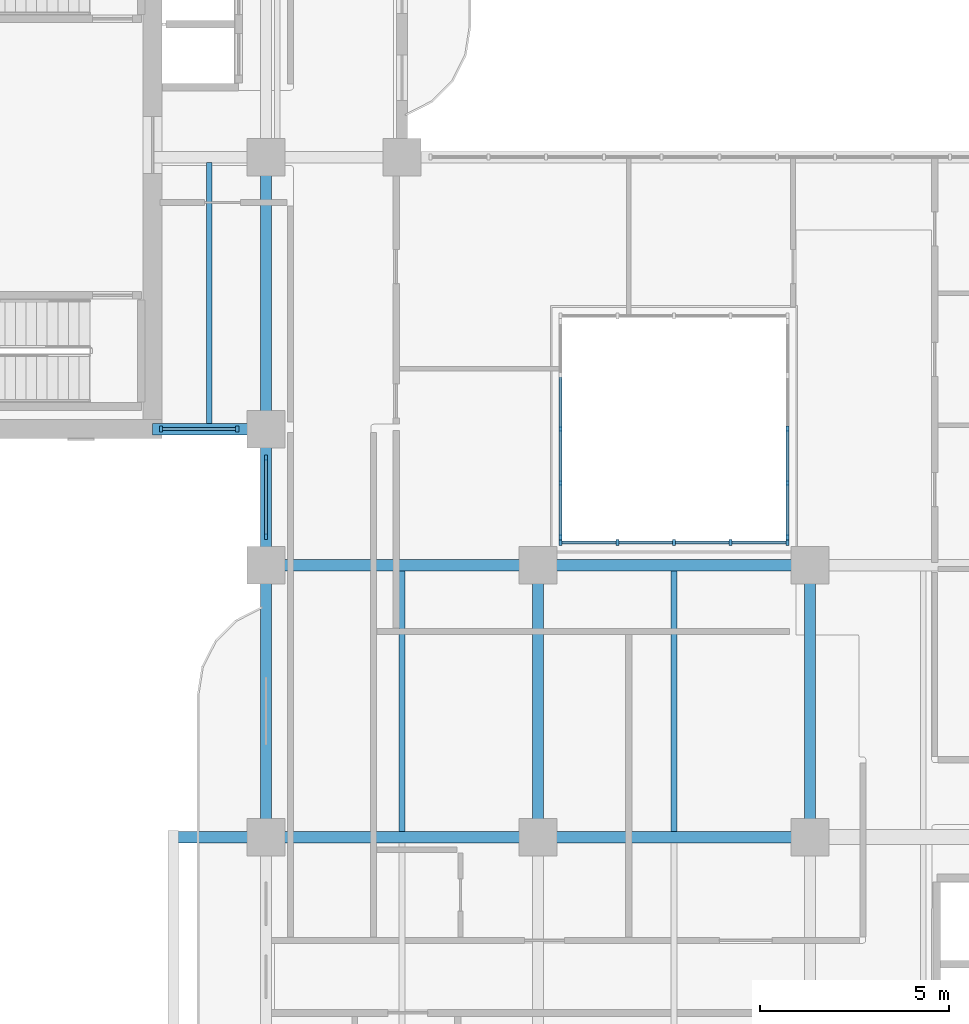
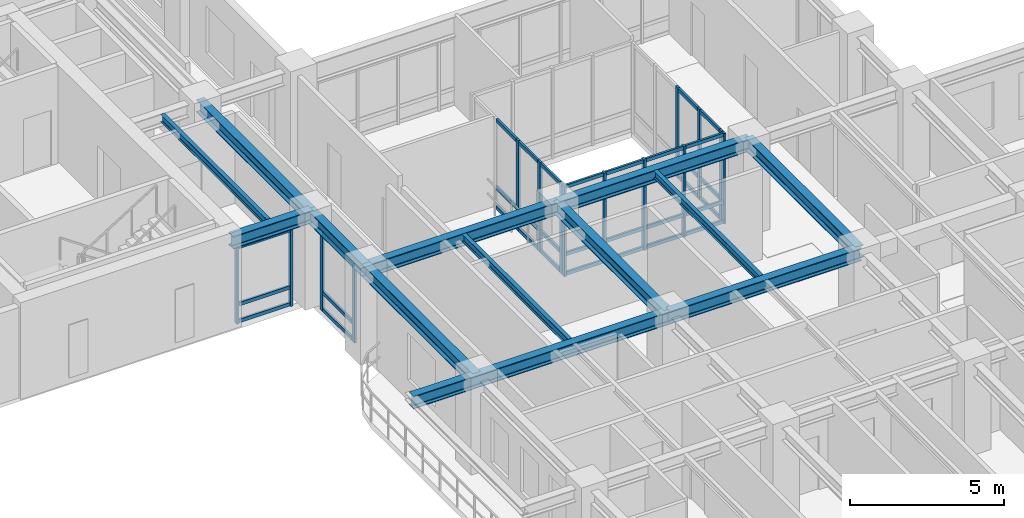
# One storey, part 2 of 20: 48 members, 13 beams, 5 elements without a shape of their own.
"""IFC4 building model written with IfcOpenShell, lengths in metres."""

import ifcopenshell
import ifcopenshell.guid

model = None  # the IFC model being written
_history = None  # IfcOwnerHistory: only IFC2X3 demands one
_inside = {}  # id of a spatial element -> (the spatial element, [elements in it])
_under = {}  # id of a project, library or spatial element -> (it, [spatial elements below it])
_declared = {}  # id of a project -> (the project, [libraries it declares])
_typed = {}  # id of a type object -> (the type object, [elements of that type])
_made_of = {}  # id of a material, layer set ... -> (it, [elements and type objects made of it])


def new_model(schema):
    """Start an empty IFC model of exactly this schema.

    Asked for "IFC4X3", IfcOpenShell would pick the latest addendum, in which some entities
    have other attributes; the version numbers below select the first issue.
    IFC2X3 requires an IfcOwnerHistory on every rooted entity: one is made here for all.
    """
    global model, _history
    if schema == "IFC4X3":
        model = ifcopenshell.file(schema_version=(4, 3, 0, 0))
    else:
        model = ifcopenshell.file(schema=schema)
    _inside.clear()
    _under.clear()
    _declared.clear()
    _typed.clear()
    _made_of.clear()
    _history = None
    if model.schema == "IFC2X3":
        org = make("IfcOrganization", Name="unknown")
        user = make(
            "IfcPersonAndOrganization",
            ThePerson=make("IfcPerson", FamilyName="unknown"),
            TheOrganization=org,
        )
        app = make(
            "IfcApplication",
            ApplicationDeveloper=org,
            Version="unknown",
            ApplicationFullName="unknown",
            ApplicationIdentifier="unknown",
        )
        _history = make(
            "IfcOwnerHistory",
            OwningUser=user,
            OwningApplication=app,
            ChangeAction="ADDED",
            CreationDate=0,
        )
    return model


def make(cls, **values):
    """One entity of the class cls with the attributes given. An attribute that is None is left unset."""
    return model.create_entity(
        cls, **{name: value for name, value in values.items() if value is not None}
    )


def rooted(cls, **values):
    """An entity with a GlobalId (a new one), such as an element, a storey or a relation."""
    return make(cls, GlobalId=ifcopenshell.guid.new(), OwnerHistory=_history, **values)


def si_unit(unit_type, name, prefix=None):
    """IfcSIUnit, for example si_unit("LENGTHUNIT", "METRE", prefix="MILLI")."""
    return make("IfcSIUnit", UnitType=unit_type, Prefix=prefix, Name=name)


def derived_unit(unit_type, elements):
    """IfcDerivedUnit: a product of units, each with its exponent."""
    return make(
        "IfcDerivedUnit",
        Elements=[
            make("IfcDerivedUnitElement", Unit=unit, Exponent=power)
            for unit, power in elements
        ],
        UnitType=unit_type,
    )


def assignment(units):
    """IfcUnitAssignment: the units of a project."""
    return None if units is None else make("IfcUnitAssignment", Units=units)


def point(xyz):
    """IfcCartesianPoint."""
    return None if xyz is None else make("IfcCartesianPoint", Coordinates=xyz)


def direction(xyz):
    """IfcDirection."""
    return None if xyz is None else make("IfcDirection", DirectionRatios=xyz)


def frame(location, z_axis=None, x_axis=None):
    """IfcAxis2Placement3D, a coordinate frame: its origin and axes. An axis left out is left unset."""
    return make(
        "IfcAxis2Placement3D",
        Location=point(location),
        Axis=direction(z_axis),
        RefDirection=direction(x_axis),
    )


def frame_2d(location, x_axis=None):
    """IfcAxis2Placement2D, a coordinate frame in the plane: its origin and x axis."""
    return make(
        "IfcAxis2Placement2D", Location=point(location), RefDirection=direction(x_axis)
    )


def origin():
    """The frame at (0, 0, 0) with its axes left unset."""
    return frame((0.0, 0.0, 0.0))


def origin_2d():
    """The frame at (0, 0) in the plane with its x axis left unset."""
    return frame_2d((0.0, 0.0))


def place(relative_to, where):
    """IfcLocalPlacement: puts the frame where relative to a parent placement (None: the world)."""
    return make(
        "IfcLocalPlacement", PlacementRelTo=relative_to, RelativePlacement=where
    )


def context(
    kind, dimensions, precision=None, world=None, true_north=None, identifier=None
):
    """IfcGeometricRepresentationContext, for example the 3D "Model" context."""
    return make(
        "IfcGeometricRepresentationContext",
        ContextIdentifier=identifier,
        ContextType=kind,
        CoordinateSpaceDimension=dimensions,
        Precision=precision,
        WorldCoordinateSystem=world,
        TrueNorth=true_north,
    )


def subcontext(parent, identifier, kind, view, scale=None):
    """IfcGeometricRepresentationSubContext, for example "Body" below "Model"."""
    return make(
        "IfcGeometricRepresentationSubContext",
        ContextIdentifier=identifier,
        ContextType=kind,
        ParentContext=parent,
        TargetScale=scale,
        TargetView=view,
    )


def project(units=None, contexts=None):
    """IfcProject with its units and contexts."""
    return rooted(
        "IfcProject",
        Name="project",
        RepresentationContexts=contexts,
        UnitsInContext=assignment(units),
    )


def spatial(cls, under=None, at=None, **own):
    """A site, building, storey or space (cls), placed at a placement, below another one or the project."""
    s = rooted(cls, ObjectPlacement=at, **own)
    if under is not None:
        _under.setdefault(under.id(), (under, []))[1].append(s)
    return s


def profile(cls, at=None, kind="AREA", **sizes):
    """A parametric profile (cls). Its sizes go by their IFC names, for example OverallWidth=200.0."""
    return make(cls, ProfileType=kind, Position=at, **sizes)


def rectangle(**sizes):
    """IfcRectangleProfileDef."""
    return profile("IfcRectangleProfileDef", **sizes)


def i_section(**sizes):
    """IfcIShapeProfileDef."""
    return profile("IfcIShapeProfileDef", **sizes)


def extrude(swept, where, along, depth):
    """IfcExtrudedAreaSolid: the profile swept, set in the frame where, extruded along a direction by depth."""
    return make(
        "IfcExtrudedAreaSolid",
        SweptArea=swept,
        Position=where,
        ExtrudedDirection=direction(along),
        Depth=depth,
    )


def shape(context_of_items, identifier, shape_type, items):
    """IfcShapeRepresentation: the items that make up one representation, for example the "Body"."""
    return make(
        "IfcShapeRepresentation",
        ContextOfItems=context_of_items,
        RepresentationIdentifier=identifier,
        RepresentationType=shape_type,
        Items=items,
    )


def source(mapping_origin, context_of_items, identifier, shape_type, items):
    """IfcRepresentationMap: a shape defined once, which mapped items show again and again."""
    return make(
        "IfcRepresentationMap",
        MappingOrigin=mapping_origin,
        MappedRepresentation=shape(context_of_items, identifier, shape_type, items),
    )


def transform(
    local_origin,
    x_axis=None,
    y_axis=None,
    z_axis=None,
    scale=None,
    scale2=None,
    scale3=None,
    uniform=True,
):
    """IfcCartesianTransformationOperator3D, or its non-uniform kind. x_axis, y_axis, z_axis: its Axis1, 2, 3."""
    if uniform:
        return make(
            "IfcCartesianTransformationOperator3D",
            Axis1=direction(x_axis),
            Axis2=direction(y_axis),
            LocalOrigin=point(local_origin),
            Scale=scale,
            Axis3=direction(z_axis),
        )
    return make(
        "IfcCartesianTransformationOperator3DnonUniform",
        Axis1=direction(x_axis),
        Axis2=direction(y_axis),
        LocalOrigin=point(local_origin),
        Scale=scale,
        Axis3=direction(z_axis),
        Scale2=scale2,
        Scale3=scale3,
    )


def mapped(mapping_source, mapping_target):
    """IfcMappedItem: shows the shape of a source again, moved by a transform."""
    return make(
        "IfcMappedItem", MappingSource=mapping_source, MappingTarget=mapping_target
    )


def material(Name=None, Category=None):
    """IfcMaterial."""
    return make("IfcMaterial", Name=Name, Category=Category)


def layer(
    of_material, thickness, ventilated=None, Name=None, Category=None, Priority=None
):
    """IfcMaterialLayer: one layer of a wall or slab, of a material (None: an air gap)."""
    return make(
        "IfcMaterialLayer",
        Material=of_material,
        LayerThickness=thickness,
        IsVentilated=ventilated,
        Name=Name,
        Category=Category,
        Priority=Priority,
    )


def layer_set(layers, Name=None):
    """IfcMaterialLayerSet."""
    return make("IfcMaterialLayerSet", MaterialLayers=layers, LayerSetName=Name)


def material_profile(
    of_material, cross_section, Name=None, Category=None, Priority=None
):
    """IfcMaterialProfile: a cross section and its material."""
    return make(
        "IfcMaterialProfile",
        Name=Name,
        Material=of_material,
        Profile=cross_section,
        Priority=Priority,
        Category=Category,
    )


def profile_set(profiles, Name=None, composite=None):
    """IfcMaterialProfileSet."""
    return make(
        "IfcMaterialProfileSet",
        Name=Name,
        MaterialProfiles=profiles,
        CompositeProfile=composite,
    )


def made_of(thing, what):
    """Note that an element or type object is made of a material, layer set ...; save() writes the relation."""
    if what is not None:
        _made_of.setdefault(what.id(), (what, []))[1].append(thing)
    return thing


def type_object(cls, material=None, **own):
    """A type object (cls), such as IfcWallType, which elements share."""
    return made_of(rooted(cls, **own), material)


def type_shapes(of_type, sources):
    """Give a type object the sources (RepresentationMaps) that its elements show as mapped items."""
    of_type.RepresentationMaps = sources


def element(
    cls,
    number,
    at=None,
    inside=None,
    cuts=None,
    type_object=None,
    material=None,
    context=None,
    identifier="Body",
    shape_type=None,
    held_by="IfcProductDefinitionShape",
    body=None,
    shapes=None,
    **own,
):
    """One element of the class cls, such as IfcWall. Its Tag is "e" and its number.

    at: its placement. inside: the storey or other place that contains it. cuts: it is an
    opening in that element (IfcRelVoidsElement). A single representation is given by context,
    identifier, shape_type and body (its items); several are given by shapes. held_by: the class
    of the entity that holds the representations. save() writes the other relations.
    """
    e = rooted(cls, Tag="e%d" % number, ObjectPlacement=at, **own)
    if body is not None:
        shapes = [shape(context, identifier, shape_type, body)]
    if shapes is not None:
        e.Representation = make(held_by, Representations=shapes)
    if inside is not None:
        _inside.setdefault(inside.id(), (inside, []))[1].append(e)
    if cuts is not None:
        rooted(
            "IfcRelVoidsElement", RelatingBuildingElement=cuts, RelatedOpeningElement=e
        )
    if type_object is not None:
        _typed.setdefault(type_object.id(), (type_object, []))[1].append(e)
    return made_of(e, material)


def aggregate(whole, parts):
    """IfcRelAggregates: a whole, such as a stair, and the parts it consists of."""
    return rooted("IfcRelAggregates", RelatingObject=whole, RelatedObjects=parts)


def save(model, path):
    """Write the relations noted so far, then the file.

    IfcRelAggregates (storeys below a building ...), IfcRelContainedInSpatialStructure (elements
    in a storey), IfcRelDefinesByType, IfcRelAssociatesMaterial and IfcRelDeclares: one each for
    every whole, place, type object, material and project.
    """
    for whole, parts in _under.values():
        aggregate(whole, parts)
    for where, things in _inside.values():
        rooted(
            "IfcRelContainedInSpatialStructure",
            RelatedElements=things,
            RelatingStructure=where,
        )
    for kind, things in _typed.values():
        rooted("IfcRelDefinesByType", RelatedObjects=things, RelatingType=kind)
    for what, things in _made_of.values():
        rooted("IfcRelAssociatesMaterial", RelatedObjects=things, RelatingMaterial=what)
    for by, libraries in _declared.values():
        rooted("IfcRelDeclares", RelatingContext=by, RelatedDefinitions=libraries)
    model.write(path)


model = new_model("IFC4")

# Units and contexts
model_context = context("Model", 3, precision=1e-05, world=origin(), true_north=direction((0.0, 1.0)))
body_context = subcontext(model_context, "Body", "Model", "MODEL_VIEW")
ifc_project = project(units=[si_unit("LENGTHUNIT", "METRE"), si_unit("AREAUNIT", "SQUARE_METRE"), si_unit("VOLUMEUNIT", "CUBIC_METRE"), si_unit("PLANEANGLEUNIT", "RADIAN"), si_unit("MASSUNIT", "GRAM", prefix="KILO"), si_unit("THERMODYNAMICTEMPERATUREUNIT", "KELVIN"), si_unit("POWERUNIT", "WATT"), derived_unit("THERMALTRANSMITTANCEUNIT", [(si_unit("POWERUNIT", "WATT"), 1), (si_unit("AREAUNIT", "SQUARE_METRE"), -1), (si_unit("THERMODYNAMICTEMPERATUREUNIT", "KELVIN"), -1)])], contexts=[model_context])

# Site, building, storey
site_placement = place(None, origin())
site = spatial("IfcSite", under=ifc_project, at=site_placement, CompositionType="ELEMENT")
building_placement = place(site_placement, origin())
building = spatial("IfcBuilding", under=site, at=building_placement, Name="Zahravan Archway Hotel and Residences", CompositionType="ELEMENT")
storey_placement = place(building_placement, frame((0.0, 0.0, 173.39990234375)))
storey = spatial("IfcBuildingStorey", under=building, at=storey_placement, Name="L43", CompositionType="ELEMENT", Elevation=173.39990234375)

# Beams
ifc_material_1 = material(Name="Structural Steel S355JR", Category="steel")
ifc_material_profile_1 = material_profile(ifc_material_1, i_section(OverallWidth=0.300048828125, OverallDepth=0.5, WebThickness=0.014404296875, FlangeThickness=0.028076171875, FilletRadius=0.027099609375, at=origin_2d()), Name="HEB 500", Category="steel")
ifc_profile_set_1 = profile_set([ifc_material_profile_1], Name="Structural Steel S355JR")
beam_type_1 = type_object("IfcBeamType", Name="BM-PRI-HEB500", PredefinedType="BEAM", material=ifc_profile_set_1)
shared_shape_1 = source(origin(), body_context, "Body", "SweptSolid", [
    extrude(i_section(OverallWidth=0.300048828125, OverallDepth=0.5, WebThickness=0.014404296875, FlangeThickness=0.028076171875, FilletRadius=0.027099609375, at=origin_2d()), origin(), (0.0, 0.0, 1.0), 7.2001953125),
])
type_shapes(beam_type_1, [shared_shape_1])
for number, where, z_axis, x_axis, name in (
    (1, (14.39990234375, 21.60009765625, 3.35009765625), (1.0, 0.0, 0.0), (0.0, 1.0, 0.0), "L43 Primary Girder EW-11"),
    (2, (14.39990234375, 14.39990234375, 3.35009765625), (0.0, 1.0, 0.0), (-1.0, 0.0, 0.0), "L43 Primary Girder NS-30"),
    (3, (21.60009765625, 14.39990234375, 3.35009765625), (0.0, 1.0, 0.0), (-1.0, 0.0, 0.0), "L43 Primary Girder NS-37"),
    (4, (28.800048828125, 14.39990234375, 3.35009765625), (0.0, 1.0, 0.0), (-1.0, 0.0, 0.0), "L43 Primary Girder NS-40"),
):
    element("IfcBeam", number, at=place(storey_placement, frame(where, z_axis=z_axis, x_axis=x_axis)), inside=storey, type_object=beam_type_1, Name=name, PredefinedType="BEAM", context=body_context, shape_type="MappedRepresentation", body=[
        mapped(shared_shape_1, transform((0.0, 0.0, 0.0), scale=1.0)),
    ])
shared_shape_2 = source(origin(), body_context, "Body", "SweptSolid", [
    extrude(i_section(OverallWidth=0.300048828125, OverallDepth=0.5, WebThickness=0.014404296875, FlangeThickness=0.028076171875, FilletRadius=0.027099609375, at=origin_2d()), origin(), (0.0, 0.0, 1.0), 7.199951171875),
])
for number, where, z_axis, x_axis, name in (
    (5, (21.60009765625, 14.39990234375, 3.35009765625), (1.0, 0.0, 0.0), (0.0, 1.0, 0.0), "L43 Primary Girder EW-10"),
    (6, (21.60009765625, 21.60009765625, 3.35009765625), (1.0, 0.0, 0.0), (0.0, 1.0, 0.0), "L43 Primary Girder EW-12"),
    (7, (14.39990234375, 25.199951171875, 3.35009765625), (0.0, 1.0, 0.0), (-1.0, 0.0, 0.0), "L43 Primary Girder NS-32"),
):
    element("IfcBeam", number, at=place(storey_placement, frame(where, z_axis=z_axis, x_axis=x_axis)), inside=storey, type_object=beam_type_1, Name=name, PredefinedType="BEAM", context=body_context, shape_type="MappedRepresentation", body=[
        mapped(shared_shape_2, transform((0.0, 0.0, 0.0), scale=1.0)),
    ])
shared_shape_3 = source(origin(), body_context, "Body", "SweptSolid", [
    extrude(i_section(OverallWidth=0.300048828125, OverallDepth=0.5, WebThickness=0.014404296875, FlangeThickness=0.028076171875, FilletRadius=0.027099609375, at=origin_2d()), origin(), (0.0, 0.0, 1.0), 9.650146484375),
])
beam_1_placement = place(storey_placement, frame((11.949951171875, 14.39990234375, 3.35009765625), z_axis=(1.0, 0.0, 0.0), x_axis=(0.0, 1.0, 0.0)))
element("IfcBeam", 8, at=beam_1_placement, inside=storey, type_object=beam_type_1, Name="L43 Primary Girder EW-09", PredefinedType="BEAM", context=body_context, shape_type="MappedRepresentation", body=[
    mapped(shared_shape_3, transform((0.0, 0.0, 0.0), scale=1.0)),
])
shared_shape_4 = source(origin(), body_context, "Body", "SweptSolid", [
    extrude(i_section(OverallWidth=0.300048828125, OverallDepth=0.5, WebThickness=0.014404296875, FlangeThickness=0.028076171875, FilletRadius=0.027099609375, at=origin_2d()), origin(), (0.0, 0.0, 1.0), 3.0),
])
beam_2_placement = place(storey_placement, frame((11.39990234375, 25.199951171875, 3.35009765625), z_axis=(1.0, 0.0, 0.0), x_axis=(0.0, 1.0, 0.0)))
element("IfcBeam", 9, at=beam_2_placement, inside=storey, type_object=beam_type_1, Name="L43 Primary Girder EW-16", PredefinedType="BEAM", context=body_context, shape_type="MappedRepresentation", body=[
    mapped(shared_shape_4, transform((0.0, 0.0, 0.0), scale=1.0)),
])
shared_shape_5 = source(origin(), body_context, "Body", "SweptSolid", [
    extrude(i_section(OverallWidth=0.300048828125, OverallDepth=0.5, WebThickness=0.014404296875, FlangeThickness=0.028076171875, FilletRadius=0.027099609375, at=origin_2d()), origin(), (0.0, 0.0, 1.0), 3.599853515625),
])
beam_3_placement = place(storey_placement, frame((14.39990234375, 21.60009765625, 3.35009765625), z_axis=(0.0, 1.0, 0.0), x_axis=(-1.0, 0.0, 0.0)))
element("IfcBeam", 10, at=beam_3_placement, inside=storey, type_object=beam_type_1, Name="L43 Primary Girder NS-31", PredefinedType="BEAM", context=body_context, shape_type="MappedRepresentation", body=[
    mapped(shared_shape_5, transform((0.0, 0.0, 0.0), scale=1.0)),
])
ifc_material_profile_2 = material_profile(ifc_material_1, i_section(OverallWidth=0.14990234375, OverallDepth=0.300048828125, WebThickness=0.007080078125, FlangeThickness=0.0107421875, FilletRadius=0.014892578125, at=origin_2d()), Name="IPE 300", Category="steel")
ifc_profile_set_2 = profile_set([ifc_material_profile_2], Name="Structural Steel S355JR")
beam_type_2 = type_object("IfcBeamType", Name="BM-JST-IPE300", PredefinedType="JOIST", material=ifc_profile_set_2)
shared_shape_6 = source(origin(), body_context, "Body", "SweptSolid", [
    extrude(i_section(OverallWidth=0.14990234375, OverallDepth=0.300048828125, WebThickness=0.007080078125, FlangeThickness=0.0107421875, FilletRadius=0.014892578125, at=origin_2d()), origin(), (0.0, 0.0, 1.0), 6.904052734375),
])
type_shapes(beam_type_2, [shared_shape_6])
beam_4_placement = place(storey_placement, frame((12.89990234375, 25.347900390625, 3.4501953125), z_axis=(0.0, 1.0, 0.0), x_axis=(-1.0, 0.0, 0.0)))
element("IfcBeam", 11, at=beam_4_placement, inside=storey, type_object=beam_type_2, Name="L43 Composite Floor Joist 10", PredefinedType="JOIST", context=body_context, shape_type="MappedRepresentation", body=[
    mapped(shared_shape_6, transform((0.0, 0.0, 0.0), scale=1.0)),
])
shared_shape_7 = source(origin(), body_context, "Body", "SweptSolid", [
    extrude(i_section(OverallWidth=0.14990234375, OverallDepth=0.300048828125, WebThickness=0.007080078125, FlangeThickness=0.0107421875, FilletRadius=0.014892578125, at=origin_2d()), origin(), (0.0, 0.0, 1.0), 6.90380859375),
])
for number, where, z_axis, x_axis, name in (
    (12, (18.0, 14.548095703125, 3.4501953125), (0.0, 1.0, 0.0), (-1.0, 0.0, 0.0), "L43 Composite Floor Joist 08"),
    (13, (25.199951171875, 14.548095703125, 3.4501953125), (0.0, 1.0, 0.0), (-1.0, 0.0, 0.0), "L43 Composite Floor Joist 09"),
):
    element("IfcBeam", number, at=place(storey_placement, frame(where, z_axis=z_axis, x_axis=x_axis)), inside=storey, type_object=beam_type_2, Name=name, PredefinedType="JOIST", context=body_context, shape_type="MappedRepresentation", body=[
        mapped(shared_shape_7, transform((0.0, 0.0, 0.0), scale=1.0)),
    ])

# Curtain wall, members
ifc_material_2 = material(Name="Bronze-Anodized Unitised Aluminium & Low-E Glass", Category="aluminium")
ifc_layer = layer(ifc_material_2, 0.179931640625, Name="Bronze-Anodized Unitised Aluminium & Low-E Glass", Category="aluminium")
ifc_layer_set = layer_set([ifc_layer], Name="Bronze-Anodized Unitised Aluminium & Low-E Glass")
curtain_wall_type = type_object("IfcCurtainWallType", Name="CW-ATR-GLAZ", PredefinedType="NOTDEFINED", material=ifc_layer_set)
curtain_wall_1_placement = place(storey_placement, origin())
curtain_wall_1 = element("IfcCurtainWall", 14, at=curtain_wall_1_placement, inside=storey, type_object=curtain_wall_type, Name="L43 Curtain Wall CW-L43-WB-SE-1", PredefinedType="NOTDEFINED")
ifc_material_3 = material(Name="Bronze-Anodized Extruded Aluminium", Category="aluminium")
ifc_material_profile_3 = material_profile(ifc_material_3, rectangle(XDim=0.080078125, YDim=0.139892578125, at=origin_2d()), Name="TRN 80x140", Category="aluminium")
ifc_profile_set_3 = profile_set([ifc_material_profile_3], Name="Bronze-Anodized Extruded Aluminium")
member_type_1 = type_object("IfcMemberType", Name="CWM-TRN-140", PredefinedType="USERDEFINED", material=ifc_profile_set_3)
shared_shape_8 = source(origin(), body_context, "Body", "SweptSolid", [
    extrude(rectangle(XDim=0.080078125, YDim=0.139892578125, at=origin_2d()), origin(), (0.0, 0.0, 1.0), 1.940185546875),
])
member_1_placement = place(storey_placement, frame((11.659912109375, 25.199951171875, 0.070068359375), z_axis=(1.0, 0.0, 0.0), x_axis=(0.0, 1.0, 0.0)))
member_1 = element("IfcMember", 15, at=member_1_placement, type_object=member_type_1, Name="CW-L43-WB-SE-1 Transom 0-1", ObjectType="TRANSOM", PredefinedType="USERDEFINED", context=body_context, shape_type="MappedRepresentation", body=[
    mapped(shared_shape_8, transform((0.0, 0.0, 0.0), scale=1.0)),
])
member_2_placement = place(storey_placement, frame((11.659912109375, 25.199951171875, 0.740478515625), z_axis=(1.0, 0.0, 0.0), x_axis=(0.0, 1.0, 0.0)))
member_2 = element("IfcMember", 16, at=member_2_placement, type_object=member_type_1, Name="CW-L43-WB-SE-1 Transom 0-2", ObjectType="TRANSOM", PredefinedType="USERDEFINED", context=body_context, shape_type="MappedRepresentation", body=[
    mapped(shared_shape_8, transform((0.0, 0.0, 0.0), scale=1.0)),
])
member_3_placement = place(storey_placement, frame((11.659912109375, 25.199951171875, 3.01513671875), z_axis=(1.0, 0.0, 0.0), x_axis=(0.0, 1.0, 0.0)))
member_3 = element("IfcMember", 17, at=member_3_placement, type_object=member_type_1, Name="CW-L43-WB-SE-1 Transom 0-3", ObjectType="TRANSOM", PredefinedType="USERDEFINED", context=body_context, shape_type="MappedRepresentation", body=[
    mapped(shared_shape_8, transform((0.0, 0.0, 0.0), scale=1.0)),
])

curtain_wall_2_placement = place(storey_placement, origin())
curtain_wall_2 = element("IfcCurtainWall", 18, at=curtain_wall_2_placement, inside=storey, type_object=curtain_wall_type, Name="L43 Curtain Wall CW-L43-WA-WLU-1", PredefinedType="NOTDEFINED")
shared_shape_9 = source(origin(), body_context, "Body", "SweptSolid", [
    extrude(rectangle(XDim=0.080078125, YDim=0.139892578125, at=origin_2d()), origin(), (0.0, 0.0, 1.0), 2.0),
])
member_4_placement = place(storey_placement, frame((14.39990234375, 22.39990234375, 0.070068359375), z_axis=(0.0, 1.0, 0.0), x_axis=(-1.0, 0.0, 0.0)))
member_4 = element("IfcMember", 19, at=member_4_placement, type_object=member_type_1, Name="CW-L43-WA-WLU-1 Transom 0-1", ObjectType="TRANSOM", PredefinedType="USERDEFINED", context=body_context, shape_type="MappedRepresentation", body=[
    mapped(shared_shape_9, transform((0.0, 0.0, 0.0), scale=1.0)),
])
member_5_placement = place(storey_placement, frame((14.39990234375, 22.39990234375, 0.740478515625), z_axis=(0.0, 1.0, 0.0), x_axis=(-1.0, 0.0, 0.0)))
member_5 = element("IfcMember", 20, at=member_5_placement, type_object=member_type_1, Name="CW-L43-WA-WLU-1 Transom 0-2", ObjectType="TRANSOM", PredefinedType="USERDEFINED", context=body_context, shape_type="MappedRepresentation", body=[
    mapped(shared_shape_9, transform((0.0, 0.0, 0.0), scale=1.0)),
])
member_6_placement = place(storey_placement, frame((14.39990234375, 22.39990234375, 3.01513671875), z_axis=(0.0, 1.0, 0.0), x_axis=(-1.0, 0.0, 0.0)))
member_6 = element("IfcMember", 21, at=member_6_placement, type_object=member_type_1, Name="CW-L43-WA-WLU-1 Transom 0-3", ObjectType="TRANSOM", PredefinedType="USERDEFINED", context=body_context, shape_type="MappedRepresentation", body=[
    mapped(shared_shape_9, transform((0.0, 0.0, 0.0), scale=1.0)),
])

curtain_wall_3_placement = place(storey_placement, origin())
curtain_wall_3 = element("IfcCurtainWall", 22, at=curtain_wall_3_placement, inside=storey, type_object=curtain_wall_type, Name="L43 Curtain Wall CW-ATR-L43-S-1", PredefinedType="NOTDEFINED")
shared_shape_10 = source(origin(), body_context, "Body", "SweptSolid", [
    extrude(rectangle(XDim=0.080078125, YDim=0.139892578125, at=origin_2d()), origin(), (0.0, 0.0, 1.0), 1.419921875),
])
member_7_placement = place(storey_placement, frame((22.239990234375, 22.199951171875, 0.070068359375), z_axis=(1.0, 0.0, 0.0), x_axis=(0.0, 1.0, 0.0)))
member_7 = element("IfcMember", 23, at=member_7_placement, type_object=member_type_1, Name="CW-ATR-L43-S-1 Transom 0-1", ObjectType="TRANSOM", PredefinedType="USERDEFINED", context=body_context, shape_type="MappedRepresentation", body=[
    mapped(shared_shape_10, transform((0.0, 0.0, 0.0), scale=1.0)),
])
member_8_placement = place(storey_placement, frame((22.239990234375, 22.199951171875, 0.85009765625), z_axis=(1.0, 0.0, 0.0), x_axis=(0.0, 1.0, 0.0)))
member_8 = element("IfcMember", 24, at=member_8_placement, type_object=member_type_1, Name="CW-ATR-L43-S-1 Transom 0-2", ObjectType="TRANSOM", PredefinedType="USERDEFINED", context=body_context, shape_type="MappedRepresentation", body=[
    mapped(shared_shape_10, transform((0.0, 0.0, 0.0), scale=1.0)),
])
member_9_placement = place(storey_placement, frame((22.239990234375, 22.199951171875, 3.530029296875), z_axis=(1.0, 0.0, 0.0), x_axis=(0.0, 1.0, 0.0)))
member_9 = element("IfcMember", 25, at=member_9_placement, type_object=member_type_1, Name="CW-ATR-L43-S-1 Transom 0-3", ObjectType="TRANSOM", PredefinedType="USERDEFINED", context=body_context, shape_type="MappedRepresentation", body=[
    mapped(shared_shape_10, transform((0.0, 0.0, 0.0), scale=1.0)),
])
member_10_placement = place(storey_placement, frame((23.739990234375, 22.199951171875, 0.070068359375), z_axis=(1.0, 0.0, 0.0), x_axis=(0.0, 1.0, 0.0)))
member_10 = element("IfcMember", 26, at=member_10_placement, type_object=member_type_1, Name="CW-ATR-L43-S-1 Transom 1-1", ObjectType="TRANSOM", PredefinedType="USERDEFINED", context=body_context, shape_type="MappedRepresentation", body=[
    mapped(shared_shape_10, transform((0.0, 0.0, 0.0), scale=1.0)),
])
member_11_placement = place(storey_placement, frame((23.739990234375, 22.199951171875, 0.85009765625), z_axis=(1.0, 0.0, 0.0), x_axis=(0.0, 1.0, 0.0)))
member_11 = element("IfcMember", 27, at=member_11_placement, type_object=member_type_1, Name="CW-ATR-L43-S-1 Transom 1-2", ObjectType="TRANSOM", PredefinedType="USERDEFINED", context=body_context, shape_type="MappedRepresentation", body=[
    mapped(shared_shape_10, transform((0.0, 0.0, 0.0), scale=1.0)),
])
member_12_placement = place(storey_placement, frame((23.739990234375, 22.199951171875, 3.530029296875), z_axis=(1.0, 0.0, 0.0), x_axis=(0.0, 1.0, 0.0)))
member_12 = element("IfcMember", 28, at=member_12_placement, type_object=member_type_1, Name="CW-ATR-L43-S-1 Transom 1-3", ObjectType="TRANSOM", PredefinedType="USERDEFINED", context=body_context, shape_type="MappedRepresentation", body=[
    mapped(shared_shape_10, transform((0.0, 0.0, 0.0), scale=1.0)),
])
member_13_placement = place(storey_placement, frame((25.239990234375, 22.199951171875, 0.070068359375), z_axis=(1.0, 0.0, 0.0), x_axis=(0.0, 1.0, 0.0)))
member_13 = element("IfcMember", 29, at=member_13_placement, type_object=member_type_1, Name="CW-ATR-L43-S-1 Transom 2-1", ObjectType="TRANSOM", PredefinedType="USERDEFINED", context=body_context, shape_type="MappedRepresentation", body=[
    mapped(shared_shape_10, transform((0.0, 0.0, 0.0), scale=1.0)),
])
member_14_placement = place(storey_placement, frame((25.239990234375, 22.199951171875, 0.85009765625), z_axis=(1.0, 0.0, 0.0), x_axis=(0.0, 1.0, 0.0)))
member_14 = element("IfcMember", 30, at=member_14_placement, type_object=member_type_1, Name="CW-ATR-L43-S-1 Transom 2-2", ObjectType="TRANSOM", PredefinedType="USERDEFINED", context=body_context, shape_type="MappedRepresentation", body=[
    mapped(shared_shape_10, transform((0.0, 0.0, 0.0), scale=1.0)),
])
member_15_placement = place(storey_placement, frame((25.239990234375, 22.199951171875, 3.530029296875), z_axis=(1.0, 0.0, 0.0), x_axis=(0.0, 1.0, 0.0)))
member_15 = element("IfcMember", 31, at=member_15_placement, type_object=member_type_1, Name="CW-ATR-L43-S-1 Transom 2-3", ObjectType="TRANSOM", PredefinedType="USERDEFINED", context=body_context, shape_type="MappedRepresentation", body=[
    mapped(shared_shape_10, transform((0.0, 0.0, 0.0), scale=1.0)),
])
member_16_placement = place(storey_placement, frame((26.739990234375, 22.199951171875, 0.070068359375), z_axis=(1.0, 0.0, 0.0), x_axis=(0.0, 1.0, 0.0)))
member_16 = element("IfcMember", 32, at=member_16_placement, type_object=member_type_1, Name="CW-ATR-L43-S-1 Transom 3-1", ObjectType="TRANSOM", PredefinedType="USERDEFINED", context=body_context, shape_type="MappedRepresentation", body=[
    mapped(shared_shape_10, transform((0.0, 0.0, 0.0), scale=1.0)),
])
member_17_placement = place(storey_placement, frame((26.739990234375, 22.199951171875, 0.85009765625), z_axis=(1.0, 0.0, 0.0), x_axis=(0.0, 1.0, 0.0)))
member_17 = element("IfcMember", 33, at=member_17_placement, type_object=member_type_1, Name="CW-ATR-L43-S-1 Transom 3-2", ObjectType="TRANSOM", PredefinedType="USERDEFINED", context=body_context, shape_type="MappedRepresentation", body=[
    mapped(shared_shape_10, transform((0.0, 0.0, 0.0), scale=1.0)),
])
member_18_placement = place(storey_placement, frame((26.739990234375, 22.199951171875, 3.530029296875), z_axis=(1.0, 0.0, 0.0), x_axis=(0.0, 1.0, 0.0)))
member_18 = element("IfcMember", 34, at=member_18_placement, type_object=member_type_1, Name="CW-ATR-L43-S-1 Transom 3-3", ObjectType="TRANSOM", PredefinedType="USERDEFINED", context=body_context, shape_type="MappedRepresentation", body=[
    mapped(shared_shape_10, transform((0.0, 0.0, 0.0), scale=1.0)),
])

curtain_wall_4_placement = place(storey_placement, origin())
curtain_wall_4 = element("IfcCurtainWall", 35, at=curtain_wall_4_placement, inside=storey, type_object=curtain_wall_type, Name="L43 Curtain Wall CW-ATR-L43-W-1", PredefinedType="NOTDEFINED")
shared_shape_11 = source(origin(), body_context, "Body", "SweptSolid", [
    extrude(rectangle(XDim=0.080078125, YDim=0.139892578125, at=origin_2d()), origin(), (0.0, 0.0, 1.0), 1.34521484375),
])
member_19_placement = place(storey_placement, frame((22.199951171875, 22.389892578125, 0.070068359375), z_axis=(0.0, 1.0, 0.0), x_axis=(-1.0, 0.0, 0.0)))
member_19 = element("IfcMember", 36, at=member_19_placement, type_object=member_type_1, Name="CW-ATR-L43-W-1 Transom 0-1", ObjectType="TRANSOM", PredefinedType="USERDEFINED", context=body_context, shape_type="MappedRepresentation", body=[
    mapped(shared_shape_11, transform((0.0, 0.0, 0.0), scale=1.0)),
])
member_20_placement = place(storey_placement, frame((22.199951171875, 22.389892578125, 0.85009765625), z_axis=(0.0, 1.0, 0.0), x_axis=(-1.0, 0.0, 0.0)))
member_20 = element("IfcMember", 37, at=member_20_placement, type_object=member_type_1, Name="CW-ATR-L43-W-1 Transom 0-2", ObjectType="TRANSOM", PredefinedType="USERDEFINED", context=body_context, shape_type="MappedRepresentation", body=[
    mapped(shared_shape_11, transform((0.0, 0.0, 0.0), scale=1.0)),
])
member_21_placement = place(storey_placement, frame((22.199951171875, 22.389892578125, 3.530029296875), z_axis=(0.0, 1.0, 0.0), x_axis=(-1.0, 0.0, 0.0)))
member_21 = element("IfcMember", 38, at=member_21_placement, type_object=member_type_1, Name="CW-ATR-L43-W-1 Transom 0-3", ObjectType="TRANSOM", PredefinedType="USERDEFINED", context=body_context, shape_type="MappedRepresentation", body=[
    mapped(shared_shape_11, transform((0.0, 0.0, 0.0), scale=1.0)),
])

curtain_wall_5_placement = place(storey_placement, origin())
curtain_wall_5 = element("IfcCurtainWall", 39, at=curtain_wall_5_placement, inside=storey, type_object=curtain_wall_type, Name="L43 Curtain Wall CW-ATR-L43-E-1", PredefinedType="NOTDEFINED")
member_22_placement = place(storey_placement, frame((28.199951171875, 22.389892578125, 0.070068359375), z_axis=(0.0, 1.0, 0.0), x_axis=(-1.0, 0.0, 0.0)))
member_22 = element("IfcMember", 40, at=member_22_placement, type_object=member_type_1, Name="CW-ATR-L43-E-1 Transom 0-1", ObjectType="TRANSOM", PredefinedType="USERDEFINED", context=body_context, shape_type="MappedRepresentation", body=[
    mapped(shared_shape_11, transform((0.0, 0.0, 0.0), scale=1.0)),
])
member_23_placement = place(storey_placement, frame((28.199951171875, 22.389892578125, 0.85009765625), z_axis=(0.0, 1.0, 0.0), x_axis=(-1.0, 0.0, 0.0)))
member_23 = element("IfcMember", 41, at=member_23_placement, type_object=member_type_1, Name="CW-ATR-L43-E-1 Transom 0-2", ObjectType="TRANSOM", PredefinedType="USERDEFINED", context=body_context, shape_type="MappedRepresentation", body=[
    mapped(shared_shape_11, transform((0.0, 0.0, 0.0), scale=1.0)),
])
member_24_placement = place(storey_placement, frame((28.199951171875, 22.389892578125, 3.530029296875), z_axis=(0.0, 1.0, 0.0), x_axis=(-1.0, 0.0, 0.0)))
member_24 = element("IfcMember", 42, at=member_24_placement, type_object=member_type_1, Name="CW-ATR-L43-E-1 Transom 0-3", ObjectType="TRANSOM", PredefinedType="USERDEFINED", context=body_context, shape_type="MappedRepresentation", body=[
    mapped(shared_shape_11, transform((0.0, 0.0, 0.0), scale=1.0)),
])

# Member
shared_shape_12 = source(origin(), body_context, "Body", "SweptSolid", [
    extrude(rectangle(XDim=0.080078125, YDim=0.139892578125, at=origin_2d()), origin(), (0.0, 0.0, 1.0), 1.344970703125),
])
member_25_placement = place(storey_placement, frame((22.199951171875, 23.81494140625, 0.070068359375), z_axis=(0.0, 1.0, 0.0), x_axis=(-1.0, 0.0, 0.0)))
member_25 = element("IfcMember", 43, at=member_25_placement, type_object=member_type_1, Name="CW-ATR-L43-W-1 Transom 1-1", ObjectType="TRANSOM", PredefinedType="USERDEFINED", context=body_context, shape_type="MappedRepresentation", body=[
    mapped(shared_shape_12, transform((0.0, 0.0, 0.0), scale=1.0)),
])

member_26_placement = place(storey_placement, frame((22.199951171875, 23.81494140625, 0.85009765625), z_axis=(0.0, 1.0, 0.0), x_axis=(-1.0, 0.0, 0.0)))
member_26 = element("IfcMember", 44, at=member_26_placement, type_object=member_type_1, Name="CW-ATR-L43-W-1 Transom 1-2", ObjectType="TRANSOM", PredefinedType="USERDEFINED", context=body_context, shape_type="MappedRepresentation", body=[
    mapped(shared_shape_12, transform((0.0, 0.0, 0.0), scale=1.0)),
])

member_27_placement = place(storey_placement, frame((22.199951171875, 23.81494140625, 3.530029296875), z_axis=(0.0, 1.0, 0.0), x_axis=(-1.0, 0.0, 0.0)))
member_27 = element("IfcMember", 45, at=member_27_placement, type_object=member_type_1, Name="CW-ATR-L43-W-1 Transom 1-3", ObjectType="TRANSOM", PredefinedType="USERDEFINED", context=body_context, shape_type="MappedRepresentation", body=[
    mapped(shared_shape_12, transform((0.0, 0.0, 0.0), scale=1.0)),
])

member_28_placement = place(storey_placement, frame((22.199951171875, 25.239990234375, 0.070068359375), z_axis=(0.0, 1.0, 0.0), x_axis=(-1.0, 0.0, 0.0)))
member_28 = element("IfcMember", 46, at=member_28_placement, type_object=member_type_1, Name="CW-ATR-L43-W-1 Transom 2-1", ObjectType="TRANSOM", PredefinedType="USERDEFINED", context=body_context, shape_type="MappedRepresentation", body=[
    mapped(shared_shape_12, transform((0.0, 0.0, 0.0), scale=1.0)),
])

member_29_placement = place(storey_placement, frame((22.199951171875, 25.239990234375, 0.85009765625), z_axis=(0.0, 1.0, 0.0), x_axis=(-1.0, 0.0, 0.0)))
member_29 = element("IfcMember", 47, at=member_29_placement, type_object=member_type_1, Name="CW-ATR-L43-W-1 Transom 2-2", ObjectType="TRANSOM", PredefinedType="USERDEFINED", context=body_context, shape_type="MappedRepresentation", body=[
    mapped(shared_shape_12, transform((0.0, 0.0, 0.0), scale=1.0)),
])

member_30_placement = place(storey_placement, frame((22.199951171875, 25.239990234375, 3.530029296875), z_axis=(0.0, 1.0, 0.0), x_axis=(-1.0, 0.0, 0.0)))
member_30 = element("IfcMember", 48, at=member_30_placement, type_object=member_type_1, Name="CW-ATR-L43-W-1 Transom 2-3", ObjectType="TRANSOM", PredefinedType="USERDEFINED", context=body_context, shape_type="MappedRepresentation", body=[
    mapped(shared_shape_12, transform((0.0, 0.0, 0.0), scale=1.0)),
])

member_31_placement = place(storey_placement, frame((28.199951171875, 23.81494140625, 0.070068359375), z_axis=(0.0, 1.0, 0.0), x_axis=(-1.0, 0.0, 0.0)))
member_31 = element("IfcMember", 49, at=member_31_placement, type_object=member_type_1, Name="CW-ATR-L43-E-1 Transom 1-1", ObjectType="TRANSOM", PredefinedType="USERDEFINED", context=body_context, shape_type="MappedRepresentation", body=[
    mapped(shared_shape_12, transform((0.0, 0.0, 0.0), scale=1.0)),
])

member_32_placement = place(storey_placement, frame((28.199951171875, 23.81494140625, 0.85009765625), z_axis=(0.0, 1.0, 0.0), x_axis=(-1.0, 0.0, 0.0)))
member_32 = element("IfcMember", 50, at=member_32_placement, type_object=member_type_1, Name="CW-ATR-L43-E-1 Transom 1-2", ObjectType="TRANSOM", PredefinedType="USERDEFINED", context=body_context, shape_type="MappedRepresentation", body=[
    mapped(shared_shape_12, transform((0.0, 0.0, 0.0), scale=1.0)),
])

member_33_placement = place(storey_placement, frame((28.199951171875, 23.81494140625, 3.530029296875), z_axis=(0.0, 1.0, 0.0), x_axis=(-1.0, 0.0, 0.0)))
member_33 = element("IfcMember", 51, at=member_33_placement, type_object=member_type_1, Name="CW-ATR-L43-E-1 Transom 1-3", ObjectType="TRANSOM", PredefinedType="USERDEFINED", context=body_context, shape_type="MappedRepresentation", body=[
    mapped(shared_shape_12, transform((0.0, 0.0, 0.0), scale=1.0)),
])

ifc_material_profile_4 = material_profile(ifc_material_3, rectangle(XDim=0.080078125, YDim=0.159912109375, at=origin_2d()), Name="MUL 80x160", Category="aluminium")
ifc_profile_set_4 = profile_set([ifc_material_profile_4], Name="Bronze-Anodized Extruded Aluminium")
member_type_2 = type_object("IfcMemberType", Name="CWM-MUL-160", PredefinedType="MULLION", material=ifc_profile_set_4)
shared_shape_13 = source(origin(), body_context, "Body", "SweptSolid", [
    extrude(rectangle(XDim=0.080078125, YDim=0.159912109375, at=origin_2d()), origin(), (0.0, 0.0, 1.0), 3.085205078125),
])
member_34_placement = place(storey_placement, frame((14.39990234375, 22.360107421875, 0.0), z_axis=(0.0, 0.0, 1.0), x_axis=(1.0, 0.0, 0.0)))
member_34 = element("IfcMember", 52, at=member_34_placement, type_object=member_type_2, Name="CW-L43-WA-WLU-1 Mullion 0", PredefinedType="MULLION", context=body_context, shape_type="MappedRepresentation", body=[
    mapped(shared_shape_13, transform((0.0, 0.0, 0.0), scale=1.0)),
])

member_35_placement = place(storey_placement, frame((14.39990234375, 24.43994140625, 0.0), z_axis=(0.0, 0.0, 1.0), x_axis=(1.0, 0.0, 0.0)))
member_35 = element("IfcMember", 53, at=member_35_placement, type_object=member_type_2, Name="CW-L43-WA-WLU-1 Mullion 1", PredefinedType="MULLION", context=body_context, shape_type="MappedRepresentation", body=[
    mapped(shared_shape_13, transform((0.0, 0.0, 0.0), scale=1.0)),
])

aggregate(curtain_wall_2, [member_34, member_35, member_4, member_5, member_6])

member_36_placement = place(storey_placement, frame((11.6201171875, 25.199951171875, 0.0), z_axis=(0.0, 0.0, 1.0), x_axis=(1.0, 0.0, 0.0)))
member_36 = element("IfcMember", 54, at=member_36_placement, type_object=member_type_2, Name="CW-L43-WB-SE-1 Mullion 0", PredefinedType="MULLION", context=body_context, shape_type="MappedRepresentation", body=[
    mapped(shared_shape_13, transform((0.0, 0.0, 0.0), scale=1.0)),
])

member_37_placement = place(storey_placement, frame((13.639892578125, 25.199951171875, 0.0), z_axis=(0.0, 0.0, 1.0), x_axis=(1.0, 0.0, 0.0)))
member_37 = element("IfcMember", 55, at=member_37_placement, type_object=member_type_2, Name="CW-L43-WB-SE-1 Mullion 1", PredefinedType="MULLION", context=body_context, shape_type="MappedRepresentation", body=[
    mapped(shared_shape_13, transform((0.0, 0.0, 0.0), scale=1.0)),
])

aggregate(curtain_wall_1, [member_36, member_37, member_1, member_2, member_3])

shared_shape_14 = source(origin(), body_context, "Body", "SweptSolid", [
    extrude(rectangle(XDim=0.080078125, YDim=0.159912109375, at=origin_2d()), origin(), (0.0, 0.0, 1.0), 3.60009765625),
])
member_38_placement = place(storey_placement, frame((22.199951171875, 22.199951171875, 0.0), z_axis=(0.0, 0.0, 1.0), x_axis=(1.0, 0.0, 0.0)))
member_38 = element("IfcMember", 56, at=member_38_placement, type_object=member_type_2, Name="CW-ATR-L43-S-1 Mullion 0", PredefinedType="MULLION", context=body_context, shape_type="MappedRepresentation", body=[
    mapped(shared_shape_14, transform((0.0, 0.0, 0.0), scale=1.0)),
])

member_39_placement = place(storey_placement, frame((23.699951171875, 22.199951171875, 0.0), z_axis=(0.0, 0.0, 1.0), x_axis=(1.0, 0.0, 0.0)))
member_39 = element("IfcMember", 57, at=member_39_placement, type_object=member_type_2, Name="CW-ATR-L43-S-1 Mullion 1", PredefinedType="MULLION", context=body_context, shape_type="MappedRepresentation", body=[
    mapped(shared_shape_14, transform((0.0, 0.0, 0.0), scale=1.0)),
])

member_40_placement = place(storey_placement, frame((25.199951171875, 22.199951171875, 0.0), z_axis=(0.0, 0.0, 1.0), x_axis=(1.0, 0.0, 0.0)))
member_40 = element("IfcMember", 58, at=member_40_placement, type_object=member_type_2, Name="CW-ATR-L43-S-1 Mullion 2", PredefinedType="MULLION", context=body_context, shape_type="MappedRepresentation", body=[
    mapped(shared_shape_14, transform((0.0, 0.0, 0.0), scale=1.0)),
])

member_41_placement = place(storey_placement, frame((26.699951171875, 22.199951171875, 0.0), z_axis=(0.0, 0.0, 1.0), x_axis=(1.0, 0.0, 0.0)))
member_41 = element("IfcMember", 59, at=member_41_placement, type_object=member_type_2, Name="CW-ATR-L43-S-1 Mullion 3", PredefinedType="MULLION", context=body_context, shape_type="MappedRepresentation", body=[
    mapped(shared_shape_14, transform((0.0, 0.0, 0.0), scale=1.0)),
])

member_42_placement = place(storey_placement, frame((28.199951171875, 22.199951171875, 0.0), z_axis=(0.0, 0.0, 1.0), x_axis=(1.0, 0.0, 0.0)))
member_42 = element("IfcMember", 60, at=member_42_placement, type_object=member_type_2, Name="CW-ATR-L43-S-1 Mullion 4", PredefinedType="MULLION", context=body_context, shape_type="MappedRepresentation", body=[
    mapped(shared_shape_14, transform((0.0, 0.0, 0.0), scale=1.0)),
])

aggregate(curtain_wall_3, [member_38, member_39, member_40, member_41, member_42, member_7, member_8, member_9, member_10, member_11, member_12, member_13, member_14, member_15, member_16, member_17, member_18])

member_43_placement = place(storey_placement, frame((22.199951171875, 22.35009765625, 0.0), z_axis=(0.0, 0.0, 1.0), x_axis=(1.0, 0.0, 0.0)))
member_43 = element("IfcMember", 61, at=member_43_placement, type_object=member_type_2, Name="CW-ATR-L43-W-1 Mullion 0", PredefinedType="MULLION", context=body_context, shape_type="MappedRepresentation", body=[
    mapped(shared_shape_14, transform((0.0, 0.0, 0.0), scale=1.0)),
])

member_44_placement = place(storey_placement, frame((22.199951171875, 23.77490234375, 0.0), z_axis=(0.0, 0.0, 1.0), x_axis=(1.0, 0.0, 0.0)))
member_44 = element("IfcMember", 62, at=member_44_placement, type_object=member_type_2, Name="CW-ATR-L43-W-1 Mullion 1", PredefinedType="MULLION", context=body_context, shape_type="MappedRepresentation", body=[
    mapped(shared_shape_14, transform((0.0, 0.0, 0.0), scale=1.0)),
])

member_45_placement = place(storey_placement, frame((22.199951171875, 25.199951171875, 0.0), z_axis=(0.0, 0.0, 1.0), x_axis=(1.0, 0.0, 0.0)))
member_45 = element("IfcMember", 63, at=member_45_placement, type_object=member_type_2, Name="CW-ATR-L43-W-1 Mullion 2", PredefinedType="MULLION", context=body_context, shape_type="MappedRepresentation", body=[
    mapped(shared_shape_14, transform((0.0, 0.0, 0.0), scale=1.0)),
])

aggregate(curtain_wall_4, [member_43, member_44, member_45, member_19, member_20, member_21, member_25, member_26, member_27, member_28, member_29, member_30])

member_46_placement = place(storey_placement, frame((28.199951171875, 22.35009765625, 0.0), z_axis=(0.0, 0.0, 1.0), x_axis=(1.0, 0.0, 0.0)))
member_46 = element("IfcMember", 64, at=member_46_placement, type_object=member_type_2, Name="CW-ATR-L43-E-1 Mullion 0", PredefinedType="MULLION", context=body_context, shape_type="MappedRepresentation", body=[
    mapped(shared_shape_14, transform((0.0, 0.0, 0.0), scale=1.0)),
])

member_47_placement = place(storey_placement, frame((28.199951171875, 23.77490234375, 0.0), z_axis=(0.0, 0.0, 1.0), x_axis=(1.0, 0.0, 0.0)))
member_47 = element("IfcMember", 65, at=member_47_placement, type_object=member_type_2, Name="CW-ATR-L43-E-1 Mullion 1", PredefinedType="MULLION", context=body_context, shape_type="MappedRepresentation", body=[
    mapped(shared_shape_14, transform((0.0, 0.0, 0.0), scale=1.0)),
])

member_48_placement = place(storey_placement, frame((28.199951171875, 25.199951171875, 0.0), z_axis=(0.0, 0.0, 1.0), x_axis=(1.0, 0.0, 0.0)))
member_48 = element("IfcMember", 66, at=member_48_placement, type_object=member_type_2, Name="CW-ATR-L43-E-1 Mullion 2", PredefinedType="MULLION", context=body_context, shape_type="MappedRepresentation", body=[
    mapped(shared_shape_14, transform((0.0, 0.0, 0.0), scale=1.0)),
])

aggregate(curtain_wall_5, [member_46, member_47, member_48, member_22, member_23, member_24, member_31, member_32, member_33])

save(model, "model.ifc")
